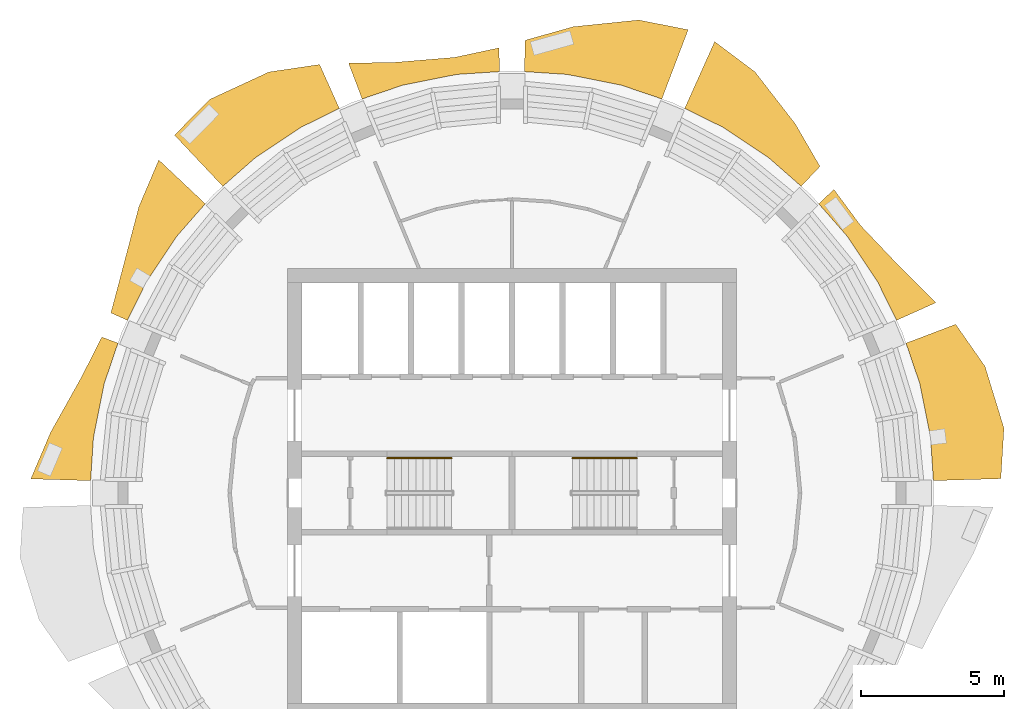
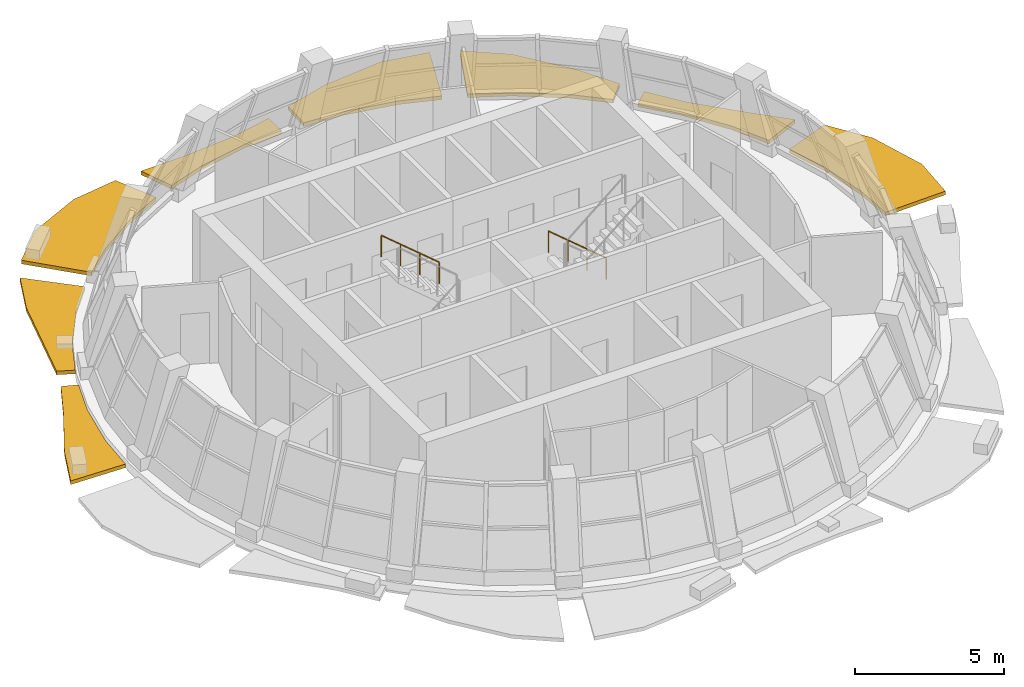
# One storey, part 11 of 12: 8 shading devices, 2 railings.
"""IFC4 building model written with IfcOpenShell, lengths in metres."""

from ifc_helpers import new_model, si_unit, direction, frame, origin, origin_2d, place, context, subcontext, project, spatial, polyline, circle, outline, extrude, material, type_object, element, save


model = new_model("IFC4")

# Units and contexts
model_context = context("Model", 3, precision=1e-05, world=origin(), true_north=direction((0.0, 1.0)))
body_context = subcontext(model_context, "Body", "Model", "MODEL_VIEW")
ifc_project = project(units=[si_unit("LENGTHUNIT", "METRE"), si_unit("AREAUNIT", "SQUARE_METRE"), si_unit("VOLUMEUNIT", "CUBIC_METRE"), si_unit("PLANEANGLEUNIT", "RADIAN"), si_unit("MASSUNIT", "GRAM", prefix="KILO")], contexts=[model_context])

# Site, building, storey
site_placement = place(None, origin())
site = spatial("IfcSite", under=ifc_project, at=site_placement, CompositionType="ELEMENT")
building_placement = place(site_placement, origin())
building = spatial("IfcBuilding", under=site, at=building_placement, Name="Polderwave Tower", CompositionType="ELEMENT")
storey_placement = place(building_placement, frame((0.0, 0.0, 231.199951171875)))
storey = spatial("IfcBuildingStorey", under=building, at=storey_placement, Name="L63", CompositionType="ELEMENT", Elevation=231.199951171875)

# Railings
ifc_material_1 = material(Name="Stainless steel", Category="steel")
railing_type = type_object("IfcRailingType", Name="Stair handrail 900", PredefinedType="HANDRAIL", material=ifc_material_1)
railing_1_placement = place(storey_placement, frame((-2.1240234375, 1.22509765625, 2.31005859375)))
element("IfcRailing", 1, at=railing_1_placement, inside=storey, type_object=railing_type, Name="L63 ST-A stair handrail 2", PredefinedType="HANDRAIL", context=body_context, shape_type="SweptSolid", body=[
    extrude(circle(Radius=0.02392578125, at=origin_2d()), frame((0.0, 0.0, 0.8759765625), z_axis=(-0.765722869108, 0.0, 0.643170652101), x_axis=(0.0, -1.0, 0.0)), (0.0, 0.0, 1.0), 2.9384765625),
    extrude(circle(Radius=0.02099609375, at=origin_2d()), origin(), (0.0, 0.0, 1.0), 0.851806640625),
    extrude(circle(Radius=0.02099609375, at=origin_2d()), frame((-0.75, 0.0, 0.6298828125)), (0.0, 0.0, 1.0), 0.851806640625),
    extrude(circle(Radius=0.02099609375, at=origin_2d()), frame((-1.5, 0.0, 1.260009765625)), (0.0, 0.0, 1.0), 0.851806640625),
    extrude(circle(Radius=0.02099609375, at=origin_2d()), frame((-2.25, 0.0, 1.889892578125)), (0.0, 0.0, 1.0), 0.851806640625),
])
railing_2_placement = place(storey_placement, frame((4.3740234375, 1.22509765625, 0.2099609375)))
element("IfcRailing", 2, at=railing_2_placement, inside=storey, type_object=railing_type, Name="L63 ST-B stair handrail 1", PredefinedType="HANDRAIL", context=body_context, shape_type="SweptSolid", body=[
    extrude(circle(Radius=0.02392578125, at=origin_2d()), frame((0.0, 0.0, 0.8759765625), z_axis=(-0.765681950559, 0.0, 0.643219364283), x_axis=(0.0, -1.0, 0.0)), (0.0, 0.0, 1.0), 2.9384765625),
    extrude(circle(Radius=0.02099609375, at=origin_2d()), origin(), (0.0, 0.0, 1.0), 0.851806640625),
    extrude(circle(Radius=0.02099609375, at=origin_2d()), frame((-0.75, 0.0, 0.630126953125)), (0.0, 0.0, 1.0), 0.851806640625),
    extrude(circle(Radius=0.02099609375, at=origin_2d()), frame((-1.5, 0.0, 1.260009765625)), (0.0, 0.0, 1.0), 0.851806640625),
    extrude(circle(Radius=0.02099609375, at=origin_2d()), frame((-2.25, 0.0, 1.89013671875)), (0.0, 0.0, 1.0), 0.851806640625),
])

# Shading devices
ifc_material_2 = material(Name="Terracotta", Category="masonry")
shading_device_type = type_object("IfcShadingDeviceType", Name="Terracotta sunshade band", PredefinedType="USERDEFINED", material=ifc_material_2)
shading_device_1_placement = place(storey_placement, frame((0.0, 0.0, -0.349853515625)))
element("IfcShadingDevice", 3, at=shading_device_1_placement, inside=storey, type_object=shading_device_type, Name="Sunshade band L63 1", ObjectType="SUNSHADE", PredefinedType="USERDEFINED", context=body_context, shape_type="SweptSolid", body=[
    extrude(outline(polyline([(14.771484375, 0.43310546875), (14.67333984375, 1.931884765625), (14.295654296875, 3.83056640625), (13.81298828125, 5.252685546875), (15.552001953125, 5.9140625), (16.581298828125, 4.443115234375), (17.247314453125, 2.270751953125), (17.13720703125, 0.50244140625), (14.771484375, 0.43310546875)])), origin(), (0.0, 0.0, 1.0), 0.14990234375),
])
shading_device_2_placement = place(storey_placement, frame((0.0, 0.0, -0.349853515625)))
element("IfcShadingDevice", 4, at=shading_device_2_placement, inside=storey, type_object=shading_device_type, Name="Sunshade band L63 2", ObjectType="SUNSHADE", PredefinedType="USERDEFINED", context=body_context, shape_type="SweptSolid", body=[
    extrude(outline(polyline([(13.4814453125, 6.052978515625), (12.817138671875, 7.39990234375), (11.74169921875, 9.009765625), (10.75146484375, 10.138916015625), (11.284912109375, 10.641845703125), (12.220703125, 9.377197265625), (13.646484375, 7.878662109375), (14.860595703125, 6.67236328125), (13.4814453125, 6.052978515625)])), origin(), (0.0, 0.0, 1.0), 0.14990234375),
])
shading_device_3_placement = place(storey_placement, frame((0.0, 0.0, -0.349853515625)))
element("IfcShadingDevice", 5, at=shading_device_3_placement, inside=storey, type_object=shading_device_type, Name="Sunshade band L63 3", ObjectType="SUNSHADE", PredefinedType="USERDEFINED", context=body_context, shape_type="SweptSolid", body=[
    extrude(outline(polyline([(10.138916015625, 10.75146484375), (9.009765625, 11.74169921875), (7.39990234375, 12.817138671875), (6.052978515625, 13.4814453125), (7.103759765625, 15.82177734375), (8.521240234375, 14.75927734375), (9.930419921875, 12.941650390625), (10.796142578125, 11.4482421875), (10.138916015625, 10.75146484375)])), origin(), (0.0, 0.0, 1.0), 0.14990234375),
])
shading_device_4_placement = place(storey_placement, frame((0.0, 0.0, -0.349853515625)))
element("IfcShadingDevice", 6, at=shading_device_4_placement, inside=storey, type_object=shading_device_type, Name="Sunshade band L63 4", ObjectType="SUNSHADE", PredefinedType="USERDEFINED", context=body_context, shape_type="SweptSolid", body=[
    extrude(outline(polyline([(5.252685546875, 13.81298828125), (3.83056640625, 14.295654296875), (1.931884765625, 14.67333984375), (0.43310546875, 14.771484375), (0.46533203125, 15.87255859375), (2.152099609375, 16.346435546875), (4.443115234375, 16.581298828125), (6.17529296875, 16.239501953125), (5.252685546875, 13.81298828125)])), origin(), (0.0, 0.0, 1.0), 0.14990234375),
])
shading_device_5_placement = place(storey_placement, frame((0.0, 0.0, -0.349853515625)))
element("IfcShadingDevice", 7, at=shading_device_5_placement, inside=storey, type_object=shading_device_type, Name="Sunshade band L63 5", ObjectType="SUNSHADE", PredefinedType="USERDEFINED", context=body_context, shape_type="SweptSolid", body=[
    extrude(outline(polyline([(-0.43310546875, 14.771484375), (-1.931884765625, 14.67333984375), (-3.83056640625, 14.295654296875), (-5.252685546875, 13.81298828125), (-5.728759765625, 15.06494140625), (-4.04638671875, 15.10107421875), (-2.010498046875, 15.272216796875), (-0.45751953125, 15.6044921875), (-0.43310546875, 14.771484375)])), origin(), (0.0, 0.0, 1.0), 0.14990234375),
])
shading_device_6_placement = place(storey_placement, frame((0.0, 0.0, -0.349853515625)))
element("IfcShadingDevice", 8, at=shading_device_6_placement, inside=storey, type_object=shading_device_type, Name="Sunshade band L63 6", ObjectType="SUNSHADE", PredefinedType="USERDEFINED", context=body_context, shape_type="SweptSolid", body=[
    extrude(outline(polyline([(-6.052978515625, 13.4814453125), (-7.39990234375, 12.817138671875), (-9.009765625, 11.74169921875), (-10.138916015625, 10.75146484375), (-11.831298828125, 12.546142578125), (-10.590087890625, 13.80126953125), (-8.521240234375, 14.75927734375), (-6.744384765625, 15.021484375), (-6.052978515625, 13.4814453125)])), origin(), (0.0, 0.0, 1.0), 0.14990234375),
])
shading_device_7_placement = place(storey_placement, frame((0.0, 0.0, -0.349853515625)))
element("IfcShadingDevice", 9, at=shading_device_7_placement, inside=storey, type_object=shading_device_type, Name="Sunshade band L63 7", ObjectType="SUNSHADE", PredefinedType="USERDEFINED", context=body_context, shape_type="SweptSolid", body=[
    extrude(outline(polyline([(-10.75146484375, 10.138916015625), (-11.74169921875, 9.009765625), (-12.817138671875, 7.39990234375), (-13.4814453125, 6.052978515625), (-14.060302734375, 6.31298828125), (-13.646484375, 7.878662109375), (-13.080322265625, 10.037109375), (-12.382568359375, 11.677001953125), (-10.75146484375, 10.138916015625)])), origin(), (0.0, 0.0, 1.0), 0.14990234375),
])
shading_device_8_placement = place(storey_placement, frame((0.0, 0.0, -0.349853515625)))
element("IfcShadingDevice", 10, at=shading_device_8_placement, inside=storey, type_object=shading_device_type, Name="Sunshade band L63 8", ObjectType="SUNSHADE", PredefinedType="USERDEFINED", context=body_context, shape_type="SweptSolid", body=[
    extrude(outline(polyline([(-13.81298828125, 5.252685546875), (-14.295654296875, 3.83056640625), (-14.67333984375, 1.931884765625), (-14.771484375, 0.43310546875), (-16.869140625, 0.49462890625), (-16.1728515625, 2.129150390625), (-15.10107421875, 4.04638671875), (-14.37744140625, 5.46728515625), (-13.81298828125, 5.252685546875)])), origin(), (0.0, 0.0, 1.0), 0.14990234375),
])

save(model, "model.ifc")
